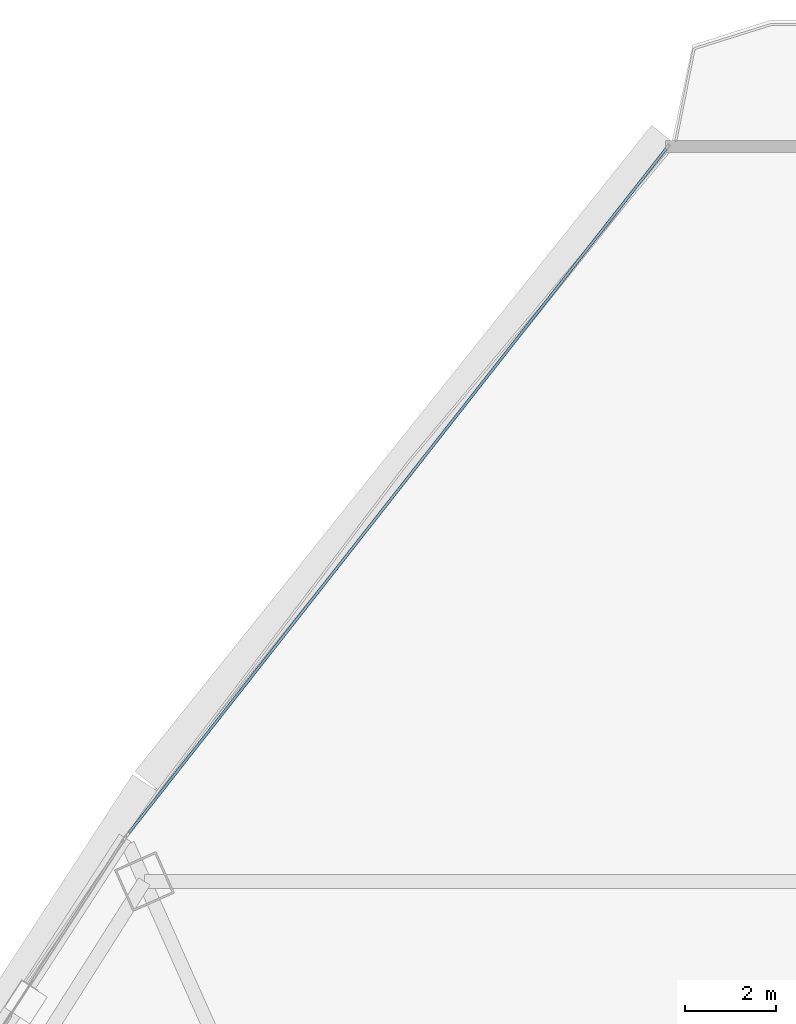
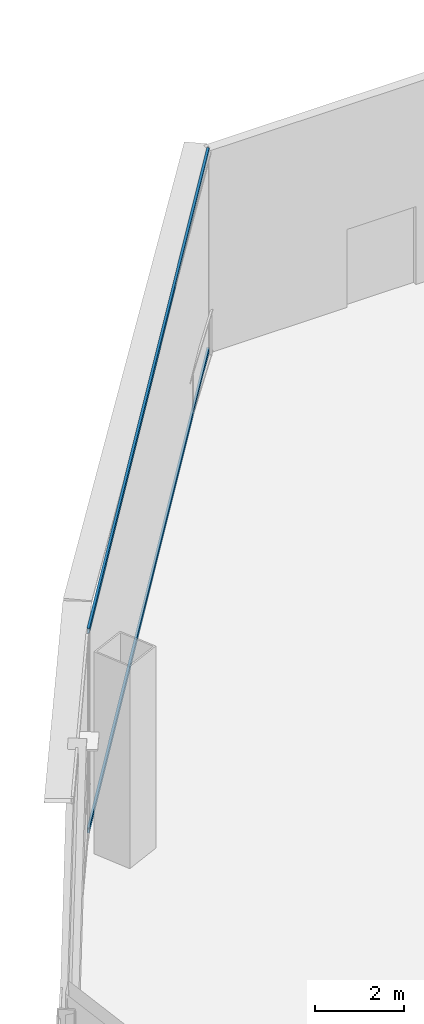
# One storey, part 24 of 36: 2 members, 1 element without a shape of its own.
"""IFC4 building model written with IfcOpenShell, lengths in metres."""

from ifc_helpers import new_model, si_unit, direction, frame, origin, origin_2d, place, context, subcontext, project, spatial, hollow_rectangle, extrude, source, transform, mapped, material, layer, layer_set, material_profile, profile_set, type_object, element, aggregate, save


model = new_model("IFC4")

# Units and contexts
model_context = context("Model", 3, precision=1e-05, world=origin(), true_north=direction((0.0, 1.0)))
body_context = subcontext(model_context, "Body", "Model", "MODEL_VIEW")
ifc_project = project(units=[si_unit("LENGTHUNIT", "METRE"), si_unit("AREAUNIT", "SQUARE_METRE"), si_unit("VOLUMEUNIT", "CUBIC_METRE"), si_unit("PLANEANGLEUNIT", "RADIAN"), si_unit("MASSUNIT", "GRAM", prefix="KILO"), si_unit("THERMODYNAMICTEMPERATUREUNIT", "KELVIN"), si_unit("POWERUNIT", "WATT")], contexts=[model_context])

# Site, building, storey
site_placement = place(None, origin())
site = spatial("IfcSite", under=ifc_project, at=site_placement, CompositionType="ELEMENT")
building_placement = place(site_placement, origin())
building = spatial("IfcBuilding", under=site, at=building_placement, Name="Yunzhuo Pagoda Commons", CompositionType="ELEMENT")
storey_placement = place(building_placement, frame((0.0, 0.0, 119.179931640625)))
storey = spatial("IfcBuildingStorey", under=building, at=storey_placement, Name="L30", CompositionType="ELEMENT", Elevation=119.179931640625)

# Curtain wall, members
ifc_material = material(Name="Anodized aluminium 6063-T6", Category="aluminium")
ifc_layer = layer(ifc_material, 0.1650390625)
ifc_layer_set = layer_set([ifc_layer], Name="Anodized aluminium 6063-T6")
curtain_wall_type = type_object("IfcCurtainWallType", Name="CW-LOW Low-Zone Ribbon Curtain Wall", PredefinedType="NOTDEFINED", material=ifc_layer_set)
curtain_wall_placement = place(storey_placement, origin())
curtain_wall = element("IfcCurtainWall", 1, at=curtain_wall_placement, inside=storey, type_object=curtain_wall_type, Name="L30 curtain wall CW-L30-F3B1", PredefinedType="NOTDEFINED")
ifc_material_profile = material_profile(ifc_material, hollow_rectangle(XDim=0.06005859375, YDim=0.139892578125, WallThickness=0.00341796875, at=origin_2d()), Name="Anodized aluminium 6063-T6")
ifc_profile_set = profile_set([ifc_material_profile], Name="Anodized aluminium 6063-T6")
member_type = type_object("IfcMemberType", Name="CW-LOW-T Transom RHS 140x60x3.5", PredefinedType="USERDEFINED", material=ifc_profile_set)
shared_shape = source(origin(), body_context, "Body", "SweptSolid", [
    extrude(hollow_rectangle(XDim=0.06005859375, YDim=0.139892578125, WallThickness=0.00341796875, at=origin_2d()), origin(), (0.0, 0.0, 1.0), 19.1142578125),
])
member_1_placement = place(storey_placement, frame((43.523193359375, 85.607666015625, 0.030029296875), z_axis=(-0.617607174628, -0.786486730878, 0.0), x_axis=(0.786486730878, -0.617607174628, 0.0)))
member_1 = element("IfcMember", 2, at=member_1_placement, type_object=member_type, Name="CW transom 1.1", ObjectType="TRANSOM", PredefinedType="USERDEFINED", context=body_context, shape_type="MappedRepresentation", body=[
    mapped(shared_shape, transform((0.0, 0.0, 0.0), scale=1.0)),
])
member_2_placement = place(storey_placement, frame((43.523193359375, 85.607666015625, 5.5400390625), z_axis=(-0.617607174628, -0.786486730878, 0.0), x_axis=(0.786486730878, -0.617607174628, 0.0)))
member_2 = element("IfcMember", 3, at=member_2_placement, type_object=member_type, Name="CW transom 1.2", ObjectType="TRANSOM", PredefinedType="USERDEFINED", context=body_context, shape_type="MappedRepresentation", body=[
    mapped(shared_shape, transform((0.0, 0.0, 0.0), scale=1.0)),
])
aggregate(curtain_wall, [member_1, member_2])

save(model, "model.ifc")
